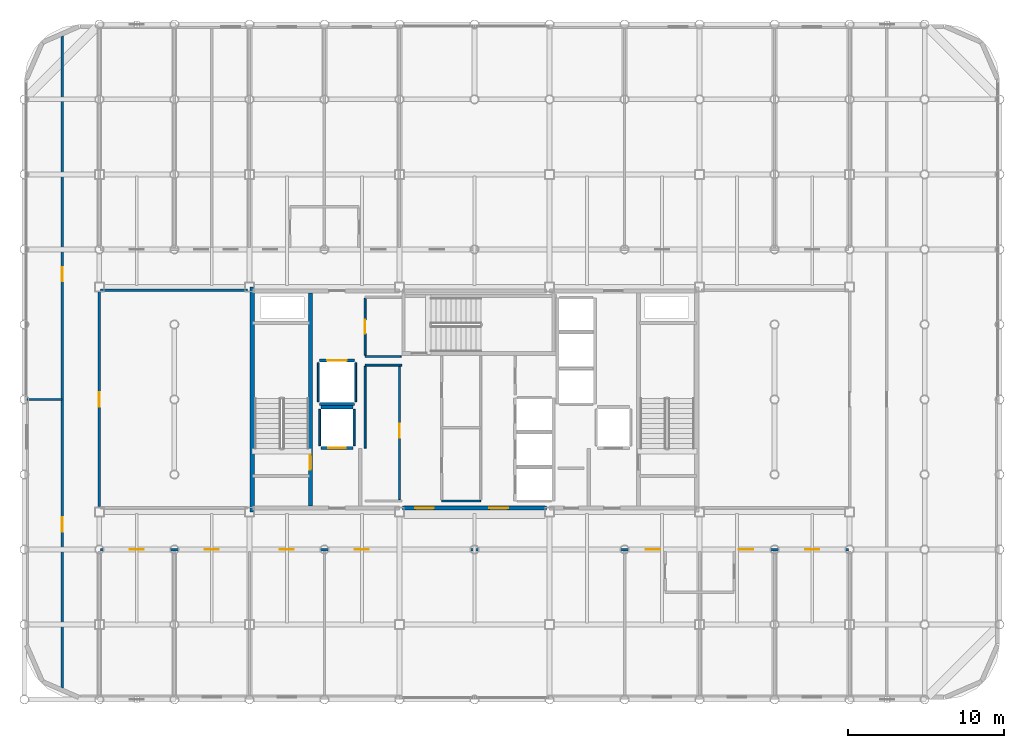
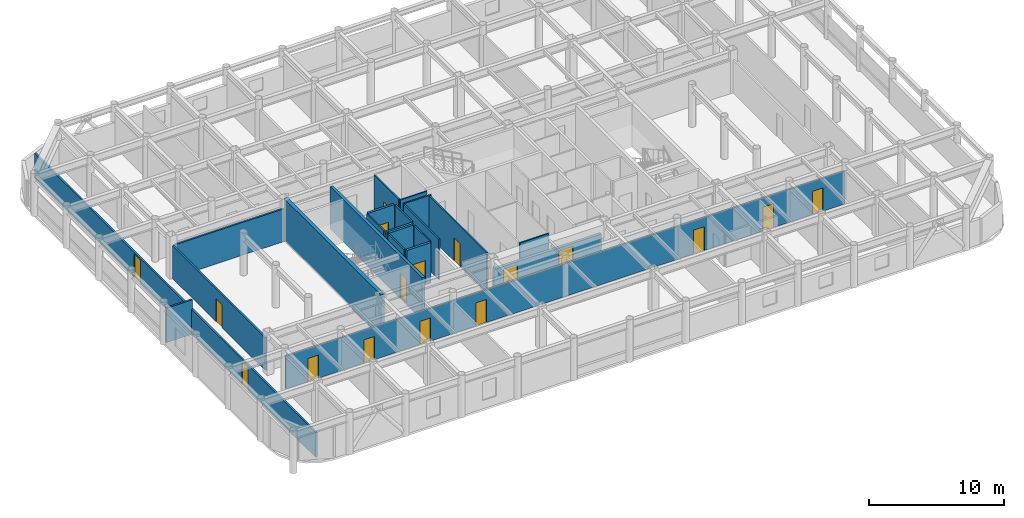
# One storey, part 18 of 22: 22 walls, 17 doors, 17 openings.
"""IFC4 building model written with IfcOpenShell, lengths in metres."""

import ifcopenshell
import ifcopenshell.guid

model = None  # the IFC model being written
_history = None  # IfcOwnerHistory: only IFC2X3 demands one
_inside = {}  # id of a spatial element -> (the spatial element, [elements in it])
_under = {}  # id of a project, library or spatial element -> (it, [spatial elements below it])
_declared = {}  # id of a project -> (the project, [libraries it declares])
_typed = {}  # id of a type object -> (the type object, [elements of that type])
_made_of = {}  # id of a material, layer set ... -> (it, [elements and type objects made of it])


def new_model(schema):
    """Start an empty IFC model of exactly this schema.

    Asked for "IFC4X3", IfcOpenShell would pick the latest addendum, in which some entities
    have other attributes; the version numbers below select the first issue.
    IFC2X3 requires an IfcOwnerHistory on every rooted entity: one is made here for all.
    """
    global model, _history
    if schema == "IFC4X3":
        model = ifcopenshell.file(schema_version=(4, 3, 0, 0))
    else:
        model = ifcopenshell.file(schema=schema)
    _inside.clear()
    _under.clear()
    _declared.clear()
    _typed.clear()
    _made_of.clear()
    _history = None
    if model.schema == "IFC2X3":
        org = make("IfcOrganization", Name="unknown")
        user = make(
            "IfcPersonAndOrganization",
            ThePerson=make("IfcPerson", FamilyName="unknown"),
            TheOrganization=org,
        )
        app = make(
            "IfcApplication",
            ApplicationDeveloper=org,
            Version="unknown",
            ApplicationFullName="unknown",
            ApplicationIdentifier="unknown",
        )
        _history = make(
            "IfcOwnerHistory",
            OwningUser=user,
            OwningApplication=app,
            ChangeAction="ADDED",
            CreationDate=0,
        )
    return model


def make(cls, **values):
    """One entity of the class cls with the attributes given. An attribute that is None is left unset."""
    return model.create_entity(
        cls, **{name: value for name, value in values.items() if value is not None}
    )


def rooted(cls, **values):
    """An entity with a GlobalId (a new one), such as an element, a storey or a relation."""
    return make(cls, GlobalId=ifcopenshell.guid.new(), OwnerHistory=_history, **values)


def si_unit(unit_type, name, prefix=None):
    """IfcSIUnit, for example si_unit("LENGTHUNIT", "METRE", prefix="MILLI")."""
    return make("IfcSIUnit", UnitType=unit_type, Prefix=prefix, Name=name)


def assignment(units):
    """IfcUnitAssignment: the units of a project."""
    return None if units is None else make("IfcUnitAssignment", Units=units)


def point(xyz):
    """IfcCartesianPoint."""
    return None if xyz is None else make("IfcCartesianPoint", Coordinates=xyz)


def direction(xyz):
    """IfcDirection."""
    return None if xyz is None else make("IfcDirection", DirectionRatios=xyz)


def frame(location, z_axis=None, x_axis=None):
    """IfcAxis2Placement3D, a coordinate frame: its origin and axes. An axis left out is left unset."""
    return make(
        "IfcAxis2Placement3D",
        Location=point(location),
        Axis=direction(z_axis),
        RefDirection=direction(x_axis),
    )


def frame_2d(location, x_axis=None):
    """IfcAxis2Placement2D, a coordinate frame in the plane: its origin and x axis."""
    return make(
        "IfcAxis2Placement2D", Location=point(location), RefDirection=direction(x_axis)
    )


def origin():
    """The frame at (0, 0, 0) with its axes left unset."""
    return frame((0.0, 0.0, 0.0))


def place(relative_to, where):
    """IfcLocalPlacement: puts the frame where relative to a parent placement (None: the world)."""
    return make(
        "IfcLocalPlacement", PlacementRelTo=relative_to, RelativePlacement=where
    )


def context(
    kind, dimensions, precision=None, world=None, true_north=None, identifier=None
):
    """IfcGeometricRepresentationContext, for example the 3D "Model" context."""
    return make(
        "IfcGeometricRepresentationContext",
        ContextIdentifier=identifier,
        ContextType=kind,
        CoordinateSpaceDimension=dimensions,
        Precision=precision,
        WorldCoordinateSystem=world,
        TrueNorth=true_north,
    )


def subcontext(parent, identifier, kind, view, scale=None):
    """IfcGeometricRepresentationSubContext, for example "Body" below "Model"."""
    return make(
        "IfcGeometricRepresentationSubContext",
        ContextIdentifier=identifier,
        ContextType=kind,
        ParentContext=parent,
        TargetScale=scale,
        TargetView=view,
    )


def project(units=None, contexts=None):
    """IfcProject with its units and contexts."""
    return rooted(
        "IfcProject",
        Name="project",
        RepresentationContexts=contexts,
        UnitsInContext=assignment(units),
    )


def spatial(cls, under=None, at=None, **own):
    """A site, building, storey or space (cls), placed at a placement, below another one or the project."""
    s = rooted(cls, ObjectPlacement=at, **own)
    if under is not None:
        _under.setdefault(under.id(), (under, []))[1].append(s)
    return s


def profile(cls, at=None, kind="AREA", **sizes):
    """A parametric profile (cls). Its sizes go by their IFC names, for example OverallWidth=200.0."""
    return make(cls, ProfileType=kind, Position=at, **sizes)


def rectangle(**sizes):
    """IfcRectangleProfileDef."""
    return profile("IfcRectangleProfileDef", **sizes)


def extrude(swept, where, along, depth):
    """IfcExtrudedAreaSolid: the profile swept, set in the frame where, extruded along a direction by depth."""
    return make(
        "IfcExtrudedAreaSolid",
        SweptArea=swept,
        Position=where,
        ExtrudedDirection=direction(along),
        Depth=depth,
    )


def shape(context_of_items, identifier, shape_type, items):
    """IfcShapeRepresentation: the items that make up one representation, for example the "Body"."""
    return make(
        "IfcShapeRepresentation",
        ContextOfItems=context_of_items,
        RepresentationIdentifier=identifier,
        RepresentationType=shape_type,
        Items=items,
    )


def material(Name=None, Category=None):
    """IfcMaterial."""
    return make("IfcMaterial", Name=Name, Category=Category)


def layer(
    of_material, thickness, ventilated=None, Name=None, Category=None, Priority=None
):
    """IfcMaterialLayer: one layer of a wall or slab, of a material (None: an air gap)."""
    return make(
        "IfcMaterialLayer",
        Material=of_material,
        LayerThickness=thickness,
        IsVentilated=ventilated,
        Name=Name,
        Category=Category,
        Priority=Priority,
    )


def layer_set(layers, Name=None):
    """IfcMaterialLayerSet."""
    return make("IfcMaterialLayerSet", MaterialLayers=layers, LayerSetName=Name)


def made_of(thing, what):
    """Note that an element or type object is made of a material, layer set ...; save() writes the relation."""
    if what is not None:
        _made_of.setdefault(what.id(), (what, []))[1].append(thing)
    return thing


def type_object(cls, material=None, **own):
    """A type object (cls), such as IfcWallType, which elements share."""
    return made_of(rooted(cls, **own), material)


def element(
    cls,
    number,
    at=None,
    inside=None,
    cuts=None,
    type_object=None,
    material=None,
    context=None,
    identifier="Body",
    shape_type=None,
    held_by="IfcProductDefinitionShape",
    body=None,
    shapes=None,
    **own,
):
    """One element of the class cls, such as IfcWall. Its Tag is "e" and its number.

    at: its placement. inside: the storey or other place that contains it. cuts: it is an
    opening in that element (IfcRelVoidsElement). A single representation is given by context,
    identifier, shape_type and body (its items); several are given by shapes. held_by: the class
    of the entity that holds the representations. save() writes the other relations.
    """
    e = rooted(cls, Tag="e%d" % number, ObjectPlacement=at, **own)
    if body is not None:
        shapes = [shape(context, identifier, shape_type, body)]
    if shapes is not None:
        e.Representation = make(held_by, Representations=shapes)
    if inside is not None:
        _inside.setdefault(inside.id(), (inside, []))[1].append(e)
    if cuts is not None:
        rooted(
            "IfcRelVoidsElement", RelatingBuildingElement=cuts, RelatedOpeningElement=e
        )
    if type_object is not None:
        _typed.setdefault(type_object.id(), (type_object, []))[1].append(e)
    return made_of(e, material)


def fill(opening, filler):
    """IfcRelFillsElement: the door or window that sits in an opening."""
    return rooted(
        "IfcRelFillsElement",
        RelatingOpeningElement=opening,
        RelatedBuildingElement=filler,
    )


def aggregate(whole, parts):
    """IfcRelAggregates: a whole, such as a stair, and the parts it consists of."""
    return rooted("IfcRelAggregates", RelatingObject=whole, RelatedObjects=parts)


def save(model, path):
    """Write the relations noted so far, then the file.

    IfcRelAggregates (storeys below a building ...), IfcRelContainedInSpatialStructure (elements
    in a storey), IfcRelDefinesByType, IfcRelAssociatesMaterial and IfcRelDeclares: one each for
    every whole, place, type object, material and project.
    """
    for whole, parts in _under.values():
        aggregate(whole, parts)
    for where, things in _inside.values():
        rooted(
            "IfcRelContainedInSpatialStructure",
            RelatedElements=things,
            RelatingStructure=where,
        )
    for kind, things in _typed.values():
        rooted("IfcRelDefinesByType", RelatedObjects=things, RelatingType=kind)
    for what, things in _made_of.values():
        rooted("IfcRelAssociatesMaterial", RelatedObjects=things, RelatingMaterial=what)
    for by, libraries in _declared.values():
        rooted("IfcRelDeclares", RelatingContext=by, RelatedDefinitions=libraries)
    model.write(path)


model = new_model("IFC4")

# Units and contexts
model_context = context("Model", 3, precision=1e-05, world=origin(), true_north=direction((0.0, 1.0)))
body_context = subcontext(model_context, "Body", "Model", "MODEL_VIEW")
ifc_project = project(units=[si_unit("LENGTHUNIT", "METRE"), si_unit("AREAUNIT", "SQUARE_METRE"), si_unit("VOLUMEUNIT", "CUBIC_METRE"), si_unit("PLANEANGLEUNIT", "RADIAN"), si_unit("MASSUNIT", "GRAM", prefix="KILO")], contexts=[model_context])

# Site, building, storey
site_placement = place(None, origin())
site = spatial("IfcSite", under=ifc_project, at=site_placement, CompositionType="ELEMENT")
building_placement = place(site_placement, origin())
building = spatial("IfcBuilding", under=site, at=building_placement, Name="Kallvorn Hotel Tower", CompositionType="ELEMENT")
storey_placement = place(building_placement, frame((0.0, 0.0, 226.14990234375)))
storey = spatial("IfcBuildingStorey", under=building, at=storey_placement, Name="L56", CompositionType="ELEMENT", Elevation=226.14990234375)

# Wall
ifc_material_1 = material(Name="Concrete C50/60", Category="concrete")
ifc_layer_1 = layer(ifc_material_1, 0.300048828125)
ifc_layer_set_1 = layer_set([ifc_layer_1], Name="WL_CORE_300")
wall_type_1 = type_object("IfcWallType", Name="WL_CORE_300", PredefinedType="SHEAR", material=ifc_layer_set_1)
wall_1_placement = place(storey_placement, frame((-14.215087890625, -7.199951171875, -0.179931640625), z_axis=(0.0, 0.0, 1.0), x_axis=(0.0, 1.0, 0.0)))
element("IfcWall", 1, at=wall_1_placement, inside=storey, type_object=wall_type_1, Name="L56 Core West Shear Wall", PredefinedType="SHEAR", context=body_context, shape_type="SweptSolid", body=[
    extrude(rectangle(XDim=14.39990234375, YDim=0.300048828125, at=frame_2d((7.199951171875, 0.0))), origin(), (0.0, 0.0, 1.0), 3.85009765625),
])

# Wall, openings, doors
ifc_material_2 = material(Name="Fire-rated double-layer acoustic gypsum drywall EI 60")
ifc_layer_2 = layer(ifc_material_2, 0.159912109375)
ifc_layer_set_2 = layer_set([ifc_layer_2], Name="WL_DEMISE_160")
wall_type_2 = type_object("IfcWallType", Name="WL_DEMISE_160", PredefinedType="PARTITIONING", material=ifc_layer_set_2)
wall_2_placement = place(storey_placement, frame((-23.919921875, -9.60009765625, 0.0), z_axis=(0.0, 0.0, 1.0), x_axis=(1.0, 0.0, 0.0)))
wall_2 = element("IfcWall", 2, at=wall_2_placement, inside=storey, type_object=wall_type_2, Name="L56 Suite 5601 Superior Twin Room Partition", PredefinedType="PARTITIONING", context=body_context, shape_type="SweptSolid", body=[
    extrude(rectangle(XDim=47.83984375, YDim=0.159912109375, at=frame_2d((23.919921875, 0.0))), origin(), (0.0, 0.0, 1.0), 2.97021484375),
])
opening_1_placement = place(wall_2_placement, frame((1.8701171875, 0.0, 0.0)))
opening_1 = element("IfcOpeningElement", 3, at=opening_1_placement, cuts=wall_2, Name="Opening SVD1", PredefinedType="OPENING", context=body_context, shape_type="SweptSolid", body=[
    extrude(rectangle(XDim=0.89990234375, YDim=2.10009765625, at=frame_2d((0.449951171875, 1.050048828125))), frame((0.0, 0.094970703125, 0.0), z_axis=(0.0, -1.0, 0.0), x_axis=(1.0, 0.0, 0.0)), (0.0, 0.0, 1.0), 0.18994140625),
])
opening_2_placement = place(wall_2_placement, frame((45.070068359375, 0.0, 0.0)))
opening_2 = element("IfcOpeningElement", 4, at=opening_2_placement, cuts=wall_2, Name="Opening SVD1", PredefinedType="OPENING", context=body_context, shape_type="SweptSolid", body=[
    extrude(rectangle(XDim=0.89990234375, YDim=2.10009765625, at=frame_2d((0.449951171875, 1.050048828125))), frame((0.0, 0.094970703125, 0.0), z_axis=(0.0, -1.0, 0.0), x_axis=(1.0, 0.0, 0.0)), (0.0, 0.0, 1.0), 0.18994140625),
])
opening_3_placement = place(wall_2_placement, frame((6.669921875, 0.0, 0.0)))
opening_3 = element("IfcOpeningElement", 5, at=opening_3_placement, cuts=wall_2, Name="Opening SVD1", PredefinedType="OPENING", context=body_context, shape_type="SweptSolid", body=[
    extrude(rectangle(XDim=0.89990234375, YDim=2.10009765625, at=frame_2d((0.449951171875, 1.050048828125))), frame((0.0, 0.094970703125, 0.0), z_axis=(0.0, -1.0, 0.0), x_axis=(1.0, 0.0, 0.0)), (0.0, 0.0, 1.0), 0.18994140625),
])
opening_4_placement = place(wall_2_placement, frame((11.469970703125, 0.0, 0.0)))
opening_4 = element("IfcOpeningElement", 6, at=opening_4_placement, cuts=wall_2, Name="Opening SVD1", PredefinedType="OPENING", context=body_context, shape_type="SweptSolid", body=[
    extrude(rectangle(XDim=0.89990234375, YDim=2.10009765625, at=frame_2d((0.449951171875, 1.050048828125))), frame((0.0, 0.094970703125, 0.0), z_axis=(0.0, -1.0, 0.0), x_axis=(1.0, 0.0, 0.0)), (0.0, 0.0, 1.0), 0.18994140625),
])
opening_5_placement = place(wall_2_placement, frame((16.27001953125, 0.0, 0.0)))
opening_5 = element("IfcOpeningElement", 7, at=opening_5_placement, cuts=wall_2, Name="Opening SVD1", PredefinedType="OPENING", context=body_context, shape_type="SweptSolid", body=[
    extrude(rectangle(XDim=0.89990234375, YDim=2.10009765625, at=frame_2d((0.449951171875, 1.050048828125))), frame((0.0, 0.094970703125, 0.0), z_axis=(0.0, -1.0, 0.0), x_axis=(1.0, 0.0, 0.0)), (0.0, 0.0, 1.0), 0.18994140625),
])
opening_6_placement = place(wall_2_placement, frame((34.889892578125, 0.0, 0.0)))
opening_6 = element("IfcOpeningElement", 8, at=opening_6_placement, cuts=wall_2, Name="Opening GD1", PredefinedType="OPENING", context=body_context, shape_type="SweptSolid", body=[
    extrude(rectangle(XDim=0.919921875, YDim=2.14990234375, at=frame_2d((0.4599609375, 1.074951171875))), frame((0.0, 0.094970703125, 0.0), z_axis=(0.0, -1.0, 0.0), x_axis=(1.0, 0.0, 0.0)), (0.0, 0.0, 1.0), 0.18994140625),
])
opening_7_placement = place(wall_2_placement, frame((40.830078125, 0.0, 0.0)))
opening_7 = element("IfcOpeningElement", 9, at=opening_7_placement, cuts=wall_2, Name="Opening GD1", PredefinedType="OPENING", context=body_context, shape_type="SweptSolid", body=[
    extrude(rectangle(XDim=0.919921875, YDim=2.14990234375, at=frame_2d((0.4599609375, 1.074951171875))), frame((0.0, 0.094970703125, 0.0), z_axis=(0.0, -1.0, 0.0), x_axis=(1.0, 0.0, 0.0)), (0.0, 0.0, 1.0), 0.18994140625),
])
ifc_material_3 = material(Name="Solid-core walnut veneer fire-rated timber door leaf", Category="wood")
door_type_1 = type_object("IfcDoorType", Name="DR_GUEST_920x2150", OperationType="NOTDEFINED", PredefinedType="DOOR", material=ifc_material_3)
door_1_placement = place(opening_6_placement, origin())
door_1 = element("IfcDoor", 10, at=door_1_placement, inside=storey, type_object=door_type_1, Name="L56 Suite 5601 Superior Twin Room Door", OperationType="SINGLE_SWING_RIGHT", OverallHeight=2.14990234375, OverallWidth=0.919921875, PredefinedType="DOOR", context=body_context, shape_type="SweptSolid", body=[
    extrude(rectangle(XDim=0.919921875, YDim=2.14990234375, at=frame_2d((0.4599609375, 1.074951171875))), frame((0.0, 0.02490234375, 0.0), z_axis=(0.0, -1.0, 0.0), x_axis=(1.0, 0.0, 0.0)), (0.0, 0.0, 1.0), 0.050048828125),
])
fill(opening_6, door_1)
door_2_placement = place(opening_7_placement, origin())
door_2 = element("IfcDoor", 11, at=door_2_placement, inside=storey, type_object=door_type_1, Name="L56 Suite 5602 Superior Twin Room Door", OperationType="SINGLE_SWING_LEFT", OverallHeight=2.14990234375, OverallWidth=0.919921875, PredefinedType="DOOR", context=body_context, shape_type="SweptSolid", body=[
    extrude(rectangle(XDim=0.919921875, YDim=2.14990234375, at=frame_2d((0.4599609375, 1.074951171875))), frame((0.0, 0.02490234375, 0.0), z_axis=(0.0, -1.0, 0.0), x_axis=(1.0, 0.0, 0.0)), (0.0, 0.0, 1.0), 0.050048828125),
])
fill(opening_7, door_2)
ifc_material_4 = material(Name="Galvanised painted steel fire-rated door assembly", Category="steel")
door_type_2 = type_object("IfcDoorType", Name="DR_SERV_900x2100", OperationType="NOTDEFINED", PredefinedType="DOOR", material=ifc_material_4)
door_3_placement = place(opening_1_placement, origin())
door_3 = element("IfcDoor", 12, at=door_3_placement, inside=storey, type_object=door_type_2, Name="L56 L56 High-Zone South-West Tea Bar Door", OperationType="SINGLE_SWING_LEFT", OverallHeight=2.10009765625, OverallWidth=0.89990234375, PredefinedType="DOOR", context=body_context, shape_type="SweptSolid", body=[
    extrude(rectangle(XDim=0.89990234375, YDim=2.10009765625, at=frame_2d((0.449951171875, 1.050048828125))), frame((0.0, 0.02490234375, 0.0), z_axis=(0.0, -1.0, 0.0), x_axis=(1.0, 0.0, 0.0)), (0.0, 0.0, 1.0), 0.050048828125),
])
fill(opening_1, door_3)
door_4_placement = place(opening_2_placement, origin())
door_4 = element("IfcDoor", 13, at=door_4_placement, inside=storey, type_object=door_type_2, Name="L56 L56 High-Zone South-East Wine Bar Door", OperationType="SINGLE_SWING_RIGHT", OverallHeight=2.10009765625, OverallWidth=0.89990234375, PredefinedType="DOOR", context=body_context, shape_type="SweptSolid", body=[
    extrude(rectangle(XDim=0.89990234375, YDim=2.10009765625, at=frame_2d((0.449951171875, 1.050048828125))), frame((0.0, 0.02490234375, 0.0), z_axis=(0.0, -1.0, 0.0), x_axis=(1.0, 0.0, 0.0)), (0.0, 0.0, 1.0), 0.050048828125),
])
fill(opening_2, door_4)
door_5_placement = place(opening_3_placement, origin())
door_5 = element("IfcDoor", 14, at=door_5_placement, inside=storey, type_object=door_type_2, Name="L56 L56 Thermal Hydrotherapy Treatment Suite 1-1 Door", OperationType="SINGLE_SWING_LEFT", OverallHeight=2.10009765625, OverallWidth=0.89990234375, PredefinedType="DOOR", context=body_context, shape_type="SweptSolid", body=[
    extrude(rectangle(XDim=0.89990234375, YDim=2.10009765625, at=frame_2d((0.449951171875, 1.050048828125))), frame((0.0, 0.02490234375, 0.0), z_axis=(0.0, -1.0, 0.0), x_axis=(1.0, 0.0, 0.0)), (0.0, 0.0, 1.0), 0.050048828125),
])
fill(opening_3, door_5)
door_6_placement = place(opening_4_placement, origin())
door_6 = element("IfcDoor", 15, at=door_6_placement, inside=storey, type_object=door_type_2, Name="L56 L56 Thermal Hydrotherapy Treatment Suite 1-2 Door", OperationType="SINGLE_SWING_LEFT", OverallHeight=2.10009765625, OverallWidth=0.89990234375, PredefinedType="DOOR", context=body_context, shape_type="SweptSolid", body=[
    extrude(rectangle(XDim=0.89990234375, YDim=2.10009765625, at=frame_2d((0.449951171875, 1.050048828125))), frame((0.0, 0.02490234375, 0.0), z_axis=(0.0, -1.0, 0.0), x_axis=(1.0, 0.0, 0.0)), (0.0, 0.0, 1.0), 0.050048828125),
])
fill(opening_4, door_6)
door_7_placement = place(opening_5_placement, origin())
door_7 = element("IfcDoor", 16, at=door_7_placement, inside=storey, type_object=door_type_2, Name="L56 L56 Panoramic Club Sky Lounge 2 Door", OperationType="SINGLE_SWING_RIGHT", OverallHeight=2.10009765625, OverallWidth=0.89990234375, PredefinedType="DOOR", context=body_context, shape_type="SweptSolid", body=[
    extrude(rectangle(XDim=0.89990234375, YDim=2.10009765625, at=frame_2d((0.449951171875, 1.050048828125))), frame((0.0, 0.02490234375, 0.0), z_axis=(0.0, -1.0, 0.0), x_axis=(1.0, 0.0, 0.0)), (0.0, 0.0, 1.0), 0.050048828125),
])
fill(opening_5, door_7)

# Wall, opening, door
ifc_material_5 = material(Name="Concrete C40/50", Category="concrete")
ifc_layer_3 = layer(ifc_material_5, 0.199951171875)
ifc_layer_set_3 = layer_set([ifc_layer_3], Name="WL_HOIST_200")
wall_type_3 = type_object("IfcWallType", Name="WL_HOIST_200", PredefinedType="SOLIDWALL", material=ifc_layer_set_3)
wall_3_placement = place(storey_placement, frame((-9.820068359375, -3.10009765625, 0.0), z_axis=(0.0, 0.0, 1.0), x_axis=(1.0, 0.0, 0.0)))
wall_3 = element("IfcWall", 17, at=wall_3_placement, inside=storey, type_object=wall_type_3, Name="L56 FL-1 Landing Wall", PredefinedType="SOLIDWALL", context=body_context, shape_type="SweptSolid", body=[
    extrude(rectangle(XDim=2.0400390625, YDim=0.199951171875, at=frame_2d((1.02001953125, 0.0))), origin(), (0.0, 0.0, 1.0), 3.670166015625),
])
opening_8_placement = place(wall_3_placement, frame((0.469970703125, 0.0, 0.0)))
opening_8 = element("IfcOpeningElement", 18, at=opening_8_placement, cuts=wall_3, Name="Opening LD-FL-1", PredefinedType="OPENING", context=body_context, shape_type="SweptSolid", body=[
    extrude(rectangle(XDim=1.10009765625, YDim=2.199951171875, at=frame_2d((0.550048828125, 1.10009765625))), frame((0.0, 0.114990234375, 0.0), z_axis=(0.0, -1.0, 0.0), x_axis=(1.0, 0.0, 0.0)), (0.0, 0.0, 1.0), 0.22998046875),
])
ifc_material_6 = material(Name="Brushed stainless-steel automatic sliding lift landing door", Category="steel")
door_type_3 = type_object("IfcDoorType", Name="LD_PASS_1100x2200", OperationType="SLIDING_TO_LEFT", PredefinedType="DOOR", material=ifc_material_6)
door_8_placement = place(opening_8_placement, origin())
door_8 = element("IfcDoor", 19, at=door_8_placement, inside=storey, type_object=door_type_3, Name="L56 Lift Landing Sliding Door LD-FL-1", OperationType="SLIDING_TO_LEFT", OverallHeight=2.199951171875, OverallWidth=1.10009765625, PredefinedType="DOOR", context=body_context, shape_type="SweptSolid", body=[
    extrude(rectangle(XDim=1.10009765625, YDim=2.199951171875, at=frame_2d((0.550048828125, 1.10009765625))), frame((0.0, 0.02490234375, 0.0), z_axis=(0.0, -1.0, 0.0), x_axis=(1.0, 0.0, 0.0)), (0.0, 0.0, 1.0), 0.050048828125),
])
fill(opening_8, door_8)

# Wall
wall_4_placement = place(storey_placement, frame((-9.820068359375, -0.5, 0.0), z_axis=(0.0, 0.0, 1.0), x_axis=(1.0, 0.0, 0.0)))
element("IfcWall", 20, at=wall_4_placement, inside=storey, type_object=wall_type_3, Name="L56 FL-1 Rear Shaft Wall", PredefinedType="SOLIDWALL", context=body_context, shape_type="SweptSolid", body=[
    extrude(rectangle(XDim=2.0400390625, YDim=0.199951171875, at=frame_2d((1.02001953125, 0.0))), origin(), (0.0, 0.0, 1.0), 3.670166015625),
])

# Wall, opening, door
wall_5_placement = place(storey_placement, frame((-9.919921875, 2.5, 0.0), z_axis=(0.0, 0.0, 1.0), x_axis=(1.0, 0.0, 0.0)))
wall_5 = element("IfcWall", 21, at=wall_5_placement, inside=storey, type_object=wall_type_3, Name="L56 SV-01 Landing Wall", PredefinedType="SOLIDWALL", context=body_context, shape_type="SweptSolid", body=[
    extrude(rectangle(XDim=2.239990234375, YDim=0.199951171875, at=frame_2d((1.1201171875, 0.0))), origin(), (0.0, 0.0, 1.0), 3.670166015625),
])
opening_9_placement = place(wall_5_placement, frame((0.4951171875, 0.0, 0.0)))
opening_9 = element("IfcOpeningElement", 22, at=opening_9_placement, cuts=wall_5, Name="Opening LD-SV-01", PredefinedType="OPENING", context=body_context, shape_type="SweptSolid", body=[
    extrude(rectangle(XDim=1.25, YDim=2.25, at=frame_2d((0.625, 1.125))), frame((0.0, 0.114990234375, 0.0), z_axis=(0.0, -1.0, 0.0), x_axis=(1.0, 0.0, 0.0)), (0.0, 0.0, 1.0), 0.22998046875),
])
ifc_material_7 = material(Name="Brushed stainless-steel automatic sliding lift landing door", Category="steel")
door_type_4 = type_object("IfcDoorType", Name="LD_SERV_1250x2250", OperationType="SLIDING_TO_LEFT", PredefinedType="DOOR", material=ifc_material_7)
door_9_placement = place(opening_9_placement, origin())
door_9 = element("IfcDoor", 23, at=door_9_placement, inside=storey, type_object=door_type_4, Name="L56 Lift Landing Sliding Door LD-SV-01", OperationType="SLIDING_TO_LEFT", OverallHeight=2.25, OverallWidth=1.25, PredefinedType="DOOR", context=body_context, shape_type="SweptSolid", body=[
    extrude(rectangle(XDim=1.25, YDim=2.25, at=frame_2d((0.625, 1.125))), frame((0.0, 0.02490234375, 0.0), z_axis=(0.0, -1.0, 0.0), x_axis=(1.0, 0.0, 0.0)), (0.0, 0.0, 1.0), 0.050048828125),
])
fill(opening_9, door_9)

# Walls
wall_6_placement = place(storey_placement, frame((-9.919921875, -0.300048828125, 0.0), z_axis=(0.0, 0.0, 1.0), x_axis=(1.0, 0.0, 0.0)))
element("IfcWall", 24, at=wall_6_placement, inside=storey, type_object=wall_type_3, Name="L56 SV-01 Rear Shaft Wall", PredefinedType="SOLIDWALL", context=body_context, shape_type="SweptSolid", body=[
    extrude(rectangle(XDim=2.239990234375, YDim=0.199951171875, at=frame_2d((1.1201171875, 0.0))), origin(), (0.0, 0.0, 1.0), 3.670166015625),
])
ifc_material_8 = material(Name="Fire-rated double-layer acoustic gypsum drywall EI 60")
ifc_layer_4 = layer(ifc_material_8, 0.1201171875)
ifc_layer_set_4 = layer_set([ifc_layer_4], Name="WL_INT_120")
wall_type_4 = type_object("IfcWallType", Name="WL_INT_120", PredefinedType="PARTITIONING", material=ifc_layer_set_4)
for number, where, z_axis, x_axis, name in (
    (25, (-9.89990234375, -2.9599609375, 0.0), (0.0, 0.0, 1.0), (0.0, 1.0, 0.0), "L56 FL-1 West Shaft Wall"),
    (26, (-7.699951171875, -2.9599609375, 0.0), (0.0, 0.0, 1.0), (0.0, 1.0, 0.0), "L56 FL-1 East Shaft Wall"),
):
    element("IfcWall", number, at=place(storey_placement, frame(where, z_axis=z_axis, x_axis=x_axis)), inside=storey, type_object=wall_type_4, Name=name, PredefinedType="PARTITIONING", context=body_context, shape_type="SweptSolid", body=[
        extrude(rectangle(XDim=2.320068359375, YDim=0.1201171875, at=frame_2d((1.16015625, 0.0))), origin(), (0.0, 0.0, 1.0), 3.670166015625),
    ])
for number, where, z_axis, x_axis, name in (
    (27, (-10.0, -0.159912109375, 0.0), (0.0, 0.0, 1.0), (0.0, 1.0, 0.0), "L56 SV-01 West Shaft Wall"),
    (28, (-7.60009765625, -0.159912109375, 0.0), (0.0, 0.0, 1.0), (0.0, 1.0, 0.0), "L56 SV-01 East Shaft Wall"),
):
    element("IfcWall", number, at=place(storey_placement, frame(where, z_axis=z_axis, x_axis=x_axis)), inside=storey, type_object=wall_type_4, Name=name, PredefinedType="PARTITIONING", context=body_context, shape_type="SweptSolid", body=[
        extrude(rectangle(XDim=2.52001953125, YDim=0.1201171875, at=frame_2d((1.260009765625, 0.0))), origin(), (0.0, 0.0, 1.0), 3.670166015625),
    ])
wall_7_placement = place(storey_placement, frame((-2.10009765625, -6.5, 0.0), z_axis=(0.0, 0.0, 1.0), x_axis=(1.0, 0.0, 0.0)))
element("IfcWall", 29, at=wall_7_placement, inside=storey, type_object=wall_type_4, Name="L56 High-Zone Sommelier and Beverage Pantry Partition", PredefinedType="PARTITIONING", context=body_context, shape_type="SweptSolid", body=[
    extrude(rectangle(XDim=2.5, YDim=0.1201171875, at=frame_2d((1.25, 0.0))), origin(), (0.0, 0.0, 1.0), 3.670166015625),
])
wall_8_placement = place(storey_placement, frame((-7.0, 2.199951171875, 0.0), z_axis=(0.0, 0.0, 1.0), x_axis=(1.0, 0.0, 0.0)))
element("IfcWall", 30, at=wall_8_placement, inside=storey, type_object=wall_type_4, Name="L56 Recaptured Butler and Room-Service Pantry Partition", PredefinedType="PARTITIONING", context=body_context, shape_type="SweptSolid", body=[
    extrude(rectangle(XDim=2.35009765625, YDim=0.1201171875, at=frame_2d((1.175048828125, 0.0))), origin(), (0.0, 0.0, 1.0), 3.670166015625),
])
wall_9_placement = place(storey_placement, frame((-7.0, 2.75, 0.0), z_axis=(0.0, 0.0, 1.0), x_axis=(1.0, 0.0, 0.0)))
element("IfcWall", 31, at=wall_9_placement, inside=storey, type_object=wall_type_4, Name="L56 Recaptured Valet and Linen Reserve Store Partition", PredefinedType="PARTITIONING", context=body_context, shape_type="SweptSolid", body=[
    extrude(rectangle(XDim=2.31005859375, YDim=0.1201171875, at=frame_2d((1.155029296875, 0.0))), origin(), (0.0, 0.0, 1.0), 3.670166015625),
])
wall_10_placement = place(storey_placement, frame((-7.0, -3.110107421875, 0.0), z_axis=(0.0, 0.0, 1.0), x_axis=(0.0, 1.0, 0.0)))
element("IfcWall", 32, at=wall_10_placement, inside=storey, type_object=wall_type_4, Name="L56 Recaptured Butler and Room-Service Pantry Partition", PredefinedType="PARTITIONING", context=body_context, shape_type="SweptSolid", body=[
    extrude(rectangle(XDim=5.22509765625, YDim=0.1201171875, at=frame_2d((2.612548828125, 0.0))), origin(), (0.0, 0.0, 1.0), 3.670166015625),
])

# Wall, opening, door
wall_11_placement = place(storey_placement, frame((-7.0, 2.8349609375, 0.0), z_axis=(0.0, 0.0, 1.0), x_axis=(0.0, 1.0, 0.0)))
wall_11 = element("IfcWall", 33, at=wall_11_placement, inside=storey, type_object=wall_type_4, Name="L56 Recaptured Valet and Linen Reserve Store Partition", PredefinedType="PARTITIONING", context=body_context, shape_type="SweptSolid", body=[
    extrude(rectangle(XDim=3.630126953125, YDim=0.1201171875, at=frame_2d((1.81494140625, 0.0))), origin(), (0.0, 0.0, 1.0), 3.670166015625),
])
opening_10_placement = place(wall_11_placement, frame((1.364990234375, 0.0, 0.0)))
opening_10 = element("IfcOpeningElement", 34, at=opening_10_placement, cuts=wall_11, Name="Opening SVD1", PredefinedType="OPENING", context=body_context, shape_type="SweptSolid", body=[
    extrude(rectangle(XDim=0.89990234375, YDim=2.10009765625, at=frame_2d((0.449951171875, 1.050048828125))), frame((0.0, 0.074951171875, 0.0), z_axis=(0.0, -1.0, 0.0), x_axis=(1.0, 0.0, 0.0)), (0.0, 0.0, 1.0), 0.150146484375),
])
door_10_placement = place(opening_10_placement, origin())
door_10 = element("IfcDoor", 35, at=door_10_placement, inside=storey, type_object=door_type_2, Name="L56 Recaptured Valet and Linen Reserve Store Door", OperationType="SINGLE_SWING_RIGHT", OverallHeight=2.10009765625, OverallWidth=0.89990234375, PredefinedType="DOOR", context=body_context, shape_type="SweptSolid", body=[
    extrude(rectangle(XDim=0.89990234375, YDim=2.10009765625, at=frame_2d((0.449951171875, 1.050048828125))), frame((0.0, 0.02490234375, 0.0), z_axis=(0.0, -1.0, 0.0), x_axis=(1.0, 0.0, 0.0)), (0.0, 0.0, 1.0), 0.050048828125),
])
fill(opening_10, door_10)

wall_12_placement = place(storey_placement, frame((-4.800048828125, -6.4150390625, 0.0), z_axis=(0.0, 0.0, 1.0), x_axis=(0.0, 1.0, 0.0)))
wall_12 = element("IfcWall", 36, at=wall_12_placement, inside=storey, type_object=wall_type_4, Name="L56 Recaptured Butler and Room-Service Pantry Partition", PredefinedType="PARTITIONING", context=body_context, shape_type="SweptSolid", body=[
    extrude(rectangle(XDim=8.530029296875, YDim=0.1201171875, at=frame_2d((4.26513671875, 0.0))), origin(), (0.0, 0.0, 1.0), 3.670166015625),
])
opening_11_placement = place(wall_12_placement, frame((3.965087890625, 0.0, 0.0)))
opening_11 = element("IfcOpeningElement", 37, at=opening_11_placement, cuts=wall_12, Name="Opening SVD1", PredefinedType="OPENING", context=body_context, shape_type="SweptSolid", body=[
    extrude(rectangle(XDim=0.89990234375, YDim=2.10009765625, at=frame_2d((0.449951171875, 1.050048828125))), frame((0.0, 0.074951171875, 0.0), z_axis=(0.0, -1.0, 0.0), x_axis=(1.0, 0.0, 0.0)), (0.0, 0.0, 1.0), 0.150146484375),
])
door_11_placement = place(opening_11_placement, origin())
door_11 = element("IfcDoor", 38, at=door_11_placement, inside=storey, type_object=door_type_2, Name="L56 Recaptured Butler and Room-Service Pantry Door", OperationType="SINGLE_SWING_LEFT", OverallHeight=2.10009765625, OverallWidth=0.89990234375, PredefinedType="DOOR", context=body_context, shape_type="SweptSolid", body=[
    extrude(rectangle(XDim=0.89990234375, YDim=2.10009765625, at=frame_2d((0.449951171875, 1.050048828125))), frame((0.0, 0.02490234375, 0.0), z_axis=(0.0, -1.0, 0.0), x_axis=(1.0, 0.0, 0.0)), (0.0, 0.0, 1.0), 0.050048828125),
])
fill(opening_11, door_11)

# Walls
ifc_material_9 = material(Name="Fire-rated double-layer acoustic gypsum drywall EI 60")
ifc_layer_5 = layer(ifc_material_9, 0.14990234375)
ifc_layer_set_5 = layer_set([ifc_layer_5], Name="WL_PART_150")
wall_type_5 = type_object("IfcWallType", Name="WL_PART_150", PredefinedType="PARTITIONING", material=ifc_layer_set_5)
wall_13_placement = place(storey_placement, frame((-28.6298828125, 0.0, 0.0), z_axis=(0.0, 0.0, 1.0), x_axis=(1.0, 0.0, 0.0)))
element("IfcWall", 39, at=wall_13_placement, inside=storey, type_object=wall_type_5, Name="L56 L56 Outer West North Fitness Club Partition", PredefinedType="PARTITIONING", context=body_context, shape_type="SweptSolid", body=[
    extrude(rectangle(XDim=2.25, YDim=0.14990234375, at=frame_2d((1.125, 0.0))), origin(), (0.0, 0.0, 1.0), 3.1201171875),
])
wall_14_placement = place(storey_placement, frame((-23.919921875, 6.97998046875, 0.0), z_axis=(0.0, 0.0, 1.0), x_axis=(1.0, 0.0, 0.0)))
element("IfcWall", 40, at=wall_14_placement, inside=storey, type_object=wall_type_5, Name="L56 L56 High-Zone Inner West Club Bar Partition", PredefinedType="PARTITIONING", context=body_context, shape_type="SweptSolid", body=[
    extrude(rectangle(XDim=9.39990234375, YDim=0.14990234375, at=frame_2d((4.699951171875, 0.0))), origin(), (0.0, 0.0, 1.0), 2.97021484375),
])

# Wall, openings, doors
wall_15_placement = place(storey_placement, frame((-26.3798828125, -18.447265625, 0.0), z_axis=(0.0, 0.0, 1.0), x_axis=(0.0, 1.0, 0.0)))
wall_15 = element("IfcWall", 41, at=wall_15_placement, inside=storey, type_object=wall_type_5, Name="L56 L56 Outer West South Cocktail Bar Partition", PredefinedType="PARTITIONING", context=body_context, shape_type="SweptSolid", body=[
    extrude(rectangle(XDim=41.694580078125, YDim=0.14990234375, at=frame_2d((20.84716796875, 0.0))), origin(), (0.0, 0.0, 1.0), 2.27001953125),
])
opening_12_placement = place(wall_15_placement, frame((9.997314453125, 0.0, 0.0)))
opening_12 = element("IfcOpeningElement", 42, at=opening_12_placement, cuts=wall_15, Name="Opening SVD1", PredefinedType="OPENING", context=body_context, shape_type="SweptSolid", body=[
    extrude(rectangle(XDim=0.89990234375, YDim=2.10009765625, at=frame_2d((0.449951171875, 1.050048828125))), frame((0.0, 0.08984375, 0.0), z_axis=(0.0, -1.0, 0.0), x_axis=(1.0, 0.0, 0.0)), (0.0, 0.0, 1.0), 0.179931640625),
])
opening_13_placement = place(wall_15_placement, frame((25.997314453125, 0.0, 0.0)))
opening_13 = element("IfcOpeningElement", 43, at=opening_13_placement, cuts=wall_15, Name="Opening SVD1", PredefinedType="OPENING", context=body_context, shape_type="SweptSolid", body=[
    extrude(rectangle(XDim=0.89990234375, YDim=2.10009765625, at=frame_2d((0.449951171875, 1.050048828125))), frame((0.0, 0.08984375, 0.0), z_axis=(0.0, -1.0, 0.0), x_axis=(1.0, 0.0, 0.0)), (0.0, 0.0, 1.0), 0.179931640625),
])
door_12_placement = place(opening_12_placement, origin())
door_12 = element("IfcDoor", 44, at=door_12_placement, inside=storey, type_object=door_type_2, Name="L56 L56 Outer West South Cocktail Bar Door", OperationType="SINGLE_SWING_LEFT", OverallHeight=2.10009765625, OverallWidth=0.89990234375, PredefinedType="DOOR", context=body_context, shape_type="SweptSolid", body=[
    extrude(rectangle(XDim=0.89990234375, YDim=2.10009765625, at=frame_2d((0.449951171875, 1.050048828125))), frame((0.0, 0.02490234375, 0.0), z_axis=(0.0, -1.0, 0.0), x_axis=(1.0, 0.0, 0.0)), (0.0, 0.0, 1.0), 0.050048828125),
])
fill(opening_12, door_12)
door_13_placement = place(opening_13_placement, origin())
door_13 = element("IfcDoor", 45, at=door_13_placement, inside=storey, type_object=door_type_2, Name="L56 L56 Outer West North Fitness Club Door", OperationType="SINGLE_SWING_LEFT", OverallHeight=2.10009765625, OverallWidth=0.89990234375, PredefinedType="DOOR", context=body_context, shape_type="SweptSolid", body=[
    extrude(rectangle(XDim=0.89990234375, YDim=2.10009765625, at=frame_2d((0.449951171875, 1.050048828125))), frame((0.0, 0.02490234375, 0.0), z_axis=(0.0, -1.0, 0.0), x_axis=(1.0, 0.0, 0.0)), (0.0, 0.0, 1.0), 0.050048828125),
])
fill(opening_13, door_13)

# Wall, opening, door
wall_16_placement = place(storey_placement, frame((-24.0, -6.8349609375, 0.0), z_axis=(0.0, 0.0, 1.0), x_axis=(0.0, 1.0, 0.0)))
wall_16 = element("IfcWall", 46, at=wall_16_placement, inside=storey, type_object=wall_type_5, Name="L56 L56 High-Zone Inner West Club Bar Partition", PredefinedType="PARTITIONING", context=body_context, shape_type="SweptSolid", body=[
    extrude(rectangle(XDim=13.72998046875, YDim=0.14990234375, at=frame_2d((6.864990234375, 0.0))), origin(), (0.0, 0.0, 1.0), 2.97021484375),
])
opening_14_placement = place(wall_16_placement, frame((6.385009765625, 0.0, 0.0)))
opening_14 = element("IfcOpeningElement", 47, at=opening_14_placement, cuts=wall_16, Name="Opening SVD1", PredefinedType="OPENING", context=body_context, shape_type="SweptSolid", body=[
    extrude(rectangle(XDim=0.89990234375, YDim=2.10009765625, at=frame_2d((0.449951171875, 1.050048828125))), frame((0.0, 0.08984375, 0.0), z_axis=(0.0, -1.0, 0.0), x_axis=(1.0, 0.0, 0.0)), (0.0, 0.0, 1.0), 0.179931640625),
])
door_14_placement = place(opening_14_placement, origin())
door_14 = element("IfcDoor", 48, at=door_14_placement, inside=storey, type_object=door_type_2, Name="L56 L56 High-Zone Inner West Club Bar Door", OperationType="SINGLE_SWING_RIGHT", OverallHeight=2.10009765625, OverallWidth=0.89990234375, PredefinedType="DOOR", context=body_context, shape_type="SweptSolid", body=[
    extrude(rectangle(XDim=0.89990234375, YDim=2.10009765625, at=frame_2d((0.449951171875, 1.050048828125))), frame((0.0, 0.02490234375, 0.0), z_axis=(0.0, -1.0, 0.0), x_axis=(1.0, 0.0, 0.0)), (0.0, 0.0, 1.0), 0.050048828125),
])
fill(opening_14, door_14)

# Wall, openings, doors
ifc_material_10 = material(Name="Concrete C40/50", Category="concrete")
ifc_layer_6 = layer(ifc_material_10, 0.25)
ifc_layer_set_6 = layer_set([ifc_layer_6], Name="WL_SHAFT_250")
wall_type_6 = type_object("IfcWallType", Name="WL_SHAFT_250", PredefinedType="SOLIDWALL", material=ifc_layer_set_6)
wall_17_placement = place(storey_placement, frame((-4.60009765625, -6.949951171875, 0.0), z_axis=(0.0, 0.0, 1.0), x_axis=(1.0, 0.0, 0.0)))
wall_17 = element("IfcWall", 49, at=wall_17_placement, inside=storey, type_object=wall_type_6, Name="L56 Core South-Central Wall", PredefinedType="SOLIDWALL", context=body_context, shape_type="SweptSolid", body=[
    extrude(rectangle(XDim=9.2001953125, YDim=0.25, at=frame_2d((4.60009765625, 0.0))), origin(), (0.0, 0.0, 1.0), 2.47021484375),
])
opening_15_placement = place(wall_17_placement, frame((0.800048828125, 0.0, 0.0)))
opening_15 = element("IfcOpeningElement", 50, at=opening_15_placement, cuts=wall_17, Name="Opening FD2", PredefinedType="OPENING", context=body_context, shape_type="SweptSolid", body=[
    extrude(rectangle(XDim=1.199951171875, YDim=2.199951171875, at=frame_2d((0.60009765625, 1.10009765625))), frame((0.0, 0.139892578125, 0.0), z_axis=(0.0, -1.0, 0.0), x_axis=(1.0, 0.0, 0.0)), (0.0, 0.0, 1.0), 0.280029296875),
])
opening_16_placement = place(wall_17_placement, frame((5.550048828125, 0.0, 0.0)))
opening_16 = element("IfcOpeningElement", 51, at=opening_16_placement, cuts=wall_17, Name="Opening FD2", PredefinedType="OPENING", context=body_context, shape_type="SweptSolid", body=[
    extrude(rectangle(XDim=1.199951171875, YDim=2.199951171875, at=frame_2d((0.60009765625, 1.10009765625))), frame((0.0, 0.139892578125, 0.0), z_axis=(0.0, -1.0, 0.0), x_axis=(1.0, 0.0, 0.0)), (0.0, 0.0, 1.0), 0.280029296875),
])
ifc_material_11 = material(Name="Galvanised painted steel fire-rated door assembly", Category="steel")
door_type_5 = type_object("IfcDoorType", Name="DR_LOBBY_1200x2200", OperationType="DOUBLE_DOOR_SINGLE_SWING", PredefinedType="DOOR", material=ifc_material_11)
door_15_placement = place(opening_15_placement, origin())
door_15 = element("IfcDoor", 52, at=door_15_placement, inside=storey, type_object=door_type_5, Name="L56 West Passenger Lift Lobby Door", OperationType="DOUBLE_DOOR_SINGLE_SWING", OverallHeight=2.199951171875, OverallWidth=1.199951171875, PredefinedType="DOOR", context=body_context, shape_type="SweptSolid", body=[
    extrude(rectangle(XDim=1.199951171875, YDim=2.199951171875, at=frame_2d((0.60009765625, 1.10009765625))), frame((0.0, 0.02490234375, 0.0), z_axis=(0.0, -1.0, 0.0), x_axis=(1.0, 0.0, 0.0)), (0.0, 0.0, 1.0), 0.050048828125),
])
fill(opening_15, door_15)
door_16_placement = place(opening_16_placement, origin())
door_16 = element("IfcDoor", 53, at=door_16_placement, inside=storey, type_object=door_type_5, Name="L56 East Passenger Lift Lobby Door", OperationType="DOUBLE_DOOR_SINGLE_SWING", OverallHeight=2.199951171875, OverallWidth=1.199951171875, PredefinedType="DOOR", context=body_context, shape_type="SweptSolid", body=[
    extrude(rectangle(XDim=1.199951171875, YDim=2.199951171875, at=frame_2d((0.60009765625, 1.10009765625))), frame((0.0, 0.02490234375, 0.0), z_axis=(0.0, -1.0, 0.0), x_axis=(1.0, 0.0, 0.0)), (0.0, 0.0, 1.0), 0.050048828125),
])
fill(opening_16, door_16)

# Wall, opening, door
wall_18_placement = place(storey_placement, frame((-10.5, -6.820068359375, -0.179931640625), z_axis=(0.0, 0.0, 1.0), x_axis=(0.0, 1.0, 0.0)))
wall_18 = element("IfcWall", 54, at=wall_18_placement, inside=storey, type_object=wall_type_6, Name="L56 Stair ST1 Shaft Wall", PredefinedType="SOLIDWALL", context=body_context, shape_type="SweptSolid", body=[
    extrude(rectangle(XDim=13.64013671875, YDim=0.25, at=frame_2d((6.820068359375, 0.0))), origin(), (0.0, 0.0, 1.0), 3.85009765625),
])
opening_17_placement = place(wall_18_placement, frame((2.320068359375, 0.0, 0.179931640625)))
opening_17 = element("IfcOpeningElement", 55, at=opening_17_placement, cuts=wall_18, Name="Opening SD1", PredefinedType="OPENING", context=body_context, shape_type="SweptSolid", body=[
    extrude(rectangle(XDim=0.949951171875, YDim=2.14990234375, at=frame_2d((0.47509765625, 1.074951171875))), frame((0.0, 0.139892578125, 0.0), z_axis=(0.0, -1.0, 0.0), x_axis=(1.0, 0.0, 0.0)), (0.0, 0.0, 1.0), 0.280029296875),
])
ifc_material_12 = material(Name="Galvanised painted steel fire-rated door assembly", Category="steel")
door_type_6 = type_object("IfcDoorType", Name="DR_STAIR_950x2150", OperationType="NOTDEFINED", PredefinedType="DOOR", material=ifc_material_12)
door_17_placement = place(opening_17_placement, origin())
door_17 = element("IfcDoor", 56, at=door_17_placement, inside=storey, type_object=door_type_6, Name="L56 Exit Stair ST1 Fire Door", OperationType="SINGLE_SWING_RIGHT", OverallHeight=2.14990234375, OverallWidth=0.949951171875, PredefinedType="DOOR", context=body_context, shape_type="SweptSolid", body=[
    extrude(rectangle(XDim=0.949951171875, YDim=2.14990234375, at=frame_2d((0.47509765625, 1.074951171875))), frame((0.0, 0.02490234375, 0.0), z_axis=(0.0, -1.0, 0.0), x_axis=(1.0, 0.0, 0.0)), (0.0, 0.0, 1.0), 0.050048828125),
])
fill(opening_17, door_17)

save(model, "model.ifc")
